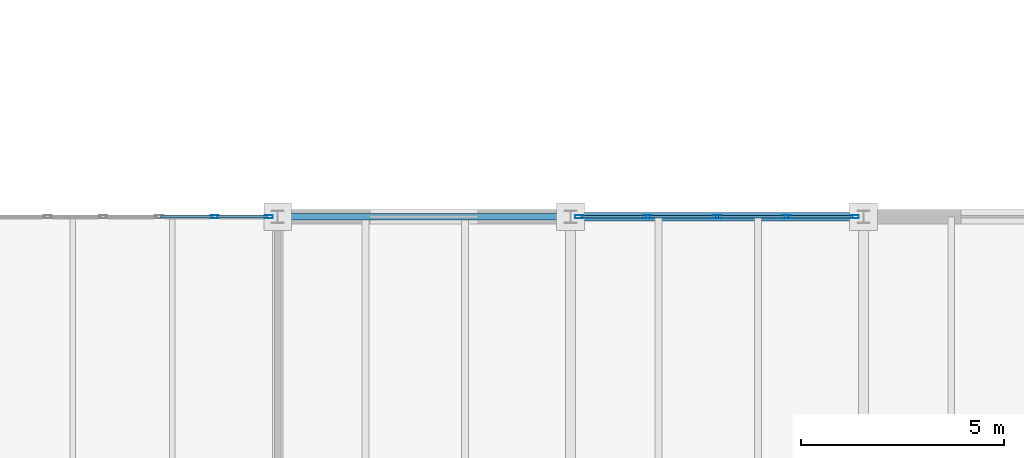
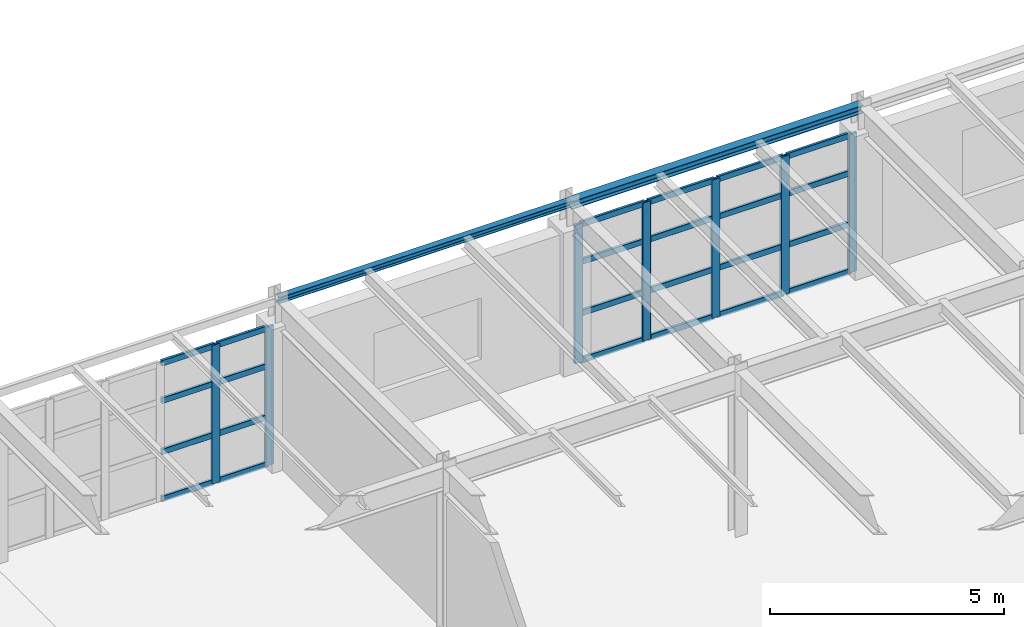
# One storey, part 101 of 137: 31 members, 2 beams, 2 elements without a shape of their own.
"""IFC4 building model written with IfcOpenShell, lengths in metres."""

from ifc_helpers import new_model, si_unit, direction, frame, origin, origin_2d, place, context, subcontext, project, spatial, hollow_rectangle, i_section, extrude, material, layer, layer_set, material_profile, profile_set, type_object, element, aggregate, save


model = new_model("IFC4")

# Units and contexts
model_context = context("Model", 3, precision=1e-05, world=origin(), true_north=direction((0.0, 1.0)))
body_context = subcontext(model_context, "Body", "Model", "MODEL_VIEW")
ifc_project = project(units=[si_unit("LENGTHUNIT", "METRE"), si_unit("AREAUNIT", "SQUARE_METRE"), si_unit("VOLUMEUNIT", "CUBIC_METRE"), si_unit("PLANEANGLEUNIT", "RADIAN"), si_unit("MASSUNIT", "GRAM", prefix="KILO")], contexts=[model_context])

# Site, building, storey
site_placement = place(None, origin())
site = spatial("IfcSite", under=ifc_project, at=site_placement, CompositionType="ELEMENT")
building_placement = place(site_placement, origin())
building = spatial("IfcBuilding", under=site, at=building_placement, Name="Kemerveld Promenade Tramway Depot", CompositionType="ELEMENT")
storey_placement = place(building_placement, frame((0.0, 0.0, 5.39990234375)))
storey = spatial("IfcBuildingStorey", under=building, at=storey_placement, Name="L01", CompositionType="ELEMENT", Elevation=5.39990234375)

# Beams
ifc_material_1 = material(Name="Steel S355", Category="steel")
ifc_material_profile_1 = material_profile(ifc_material_1, i_section(OverallWidth=0.154296875, OverallDepth=0.161865234375, WebThickness=0.008056640625, FlangeThickness=0.011474609375, FilletRadius=0.007568359375, at=origin_2d()), Name="152x152x37 UC")
ifc_profile_set_1 = profile_set([ifc_material_profile_1], Name="Steel S355")
beam_type_1 = type_object("IfcBeamType", Name="BM-LN2", PredefinedType="LINTEL", material=ifc_profile_set_1)
beam_1_placement = place(storey_placement, frame((194.39990234375, 50.39990234375, 4.2392578125), z_axis=(1.0, 0.0, 0.0), x_axis=(0.0, 1.0, 0.0)))
element("IfcBeam", 1, at=beam_1_placement, inside=storey, type_object=beam_type_1, Name="BMX-L01-28-29-H", PredefinedType="LINTEL", context=body_context, shape_type="SweptSolid", body=[
    extrude(i_section(OverallWidth=0.154296875, OverallDepth=0.161865234375, WebThickness=0.008056640625, FlangeThickness=0.011474609375, FilletRadius=0.007568359375, at=origin_2d()), origin(), (0.0, 0.0, 1.0), 7.2001953125),
])
ifc_material_profile_2 = material_profile(ifc_material_1, i_section(OverallWidth=0.205810546875, OverallDepth=0.209716796875, WebThickness=0.009521484375, FlangeThickness=0.01416015625, FilletRadius=0.01025390625, at=origin_2d()), Name="203x203x60 UC")
ifc_profile_set_2 = profile_set([ifc_material_profile_2], Name="Steel S355")
beam_type_2 = type_object("IfcBeamType", Name="BM-LN3", PredefinedType="LINTEL", material=ifc_profile_set_2)
beam_2_placement = place(storey_placement, frame((201.60009765625, 50.39990234375, 4.21533203125), z_axis=(1.0, 0.0, 0.0), x_axis=(0.0, 1.0, 0.0)))
element("IfcBeam", 2, at=beam_2_placement, inside=storey, type_object=beam_type_2, Name="BMX-L01-29-30-H", PredefinedType="LINTEL", context=body_context, shape_type="SweptSolid", body=[
    extrude(i_section(OverallWidth=0.205810546875, OverallDepth=0.209716796875, WebThickness=0.009521484375, FlangeThickness=0.01416015625, FilletRadius=0.01025390625, at=origin_2d()), origin(), (0.0, 0.0, 1.0), 7.199951171875),
])

# Curtain wall, members
ifc_material_2 = material(Name="Bronze anodised aluminium and solar glass", Category="aluminium")
ifc_layer_1 = layer(ifc_material_2, 0.199951171875)
ifc_layer_set_1 = layer_set([ifc_layer_1], Name="CW-SYS-08")
curtain_wall_type_1 = type_object("IfcCurtainWallType", Name="CW-SYS-08", PredefinedType="USERDEFINED", material=ifc_layer_set_1)
curtain_wall_1_placement = place(storey_placement, origin())
curtain_wall_1 = element("IfcCurtainWall", 3, at=curtain_wall_1_placement, inside=storey, type_object=curtain_wall_type_1, Name="CW-L01-V2N-05", ObjectType="GLAZED_CURTAIN_WALL", PredefinedType="USERDEFINED")
ifc_material_3 = material(Name="Bronze anodised aluminium", Category="aluminium")
ifc_material_profile_3 = material_profile(ifc_material_3, hollow_rectangle(XDim=0.074951171875, YDim=0.199951171875, WallThickness=0.0048828125, InnerFilletRadius=0.001953125, OuterFilletRadius=0.0048828125, at=origin_2d()), Name="CW-MUL-200x75")
ifc_profile_set_3 = profile_set([ifc_material_profile_3], Name="Bronze anodised aluminium")
member_type_1 = type_object("IfcMemberType", Name="CW-MUL-B", PredefinedType="MULLION", material=ifc_profile_set_3)
member_1_placement = place(storey_placement, frame((192.853759765625, 50.39990234375, 0.0), z_axis=(0.0, 0.0, 1.0), x_axis=(0.0, 1.0, 0.0)))
member_1 = element("IfcMember", 4, at=member_1_placement, type_object=member_type_1, Name="CW08 mullion 5", PredefinedType="MULLION", context=body_context, shape_type="SweptSolid", body=[
    extrude(hollow_rectangle(XDim=0.074951171875, YDim=0.199951171875, WallThickness=0.0048828125, InnerFilletRadius=0.001953125, OuterFilletRadius=0.0048828125, at=origin_2d()), origin(), (0.0, 0.0, 1.0), 3.61279296875),
])
member_2_placement = place(storey_placement, frame((194.185302734375, 50.39990234375, 0.0), z_axis=(0.0, 0.0, 1.0), x_axis=(0.0, 1.0, 0.0)))
member_2 = element("IfcMember", 5, at=member_2_placement, type_object=member_type_1, Name="CW08 mullion 6", PredefinedType="MULLION", context=body_context, shape_type="SweptSolid", body=[
    extrude(hollow_rectangle(XDim=0.074951171875, YDim=0.199951171875, WallThickness=0.0048828125, InnerFilletRadius=0.001953125, OuterFilletRadius=0.0048828125, at=origin_2d()), origin(), (0.0, 0.0, 1.0), 3.61279296875),
])

ifc_layer_2 = layer(ifc_material_2, 0.199951171875)
ifc_layer_set_2 = layer_set([ifc_layer_2], Name="CW-SYS-10")
curtain_wall_type_2 = type_object("IfcCurtainWallType", Name="CW-SYS-10", PredefinedType="USERDEFINED", material=ifc_layer_set_2)
curtain_wall_2_placement = place(storey_placement, origin())
curtain_wall_2 = element("IfcCurtainWall", 6, at=curtain_wall_2_placement, inside=storey, type_object=curtain_wall_type_2, Name="CW-L01-V2N-07", ObjectType="GLAZED_CURTAIN_WALL", PredefinedType="USERDEFINED")
member_3_placement = place(storey_placement, frame((201.814697265625, 50.39990234375, 0.0), z_axis=(0.0, 0.0, 1.0), x_axis=(0.0, 1.0, 0.0)))
member_3 = element("IfcMember", 7, at=member_3_placement, type_object=member_type_1, Name="CW10 mullion 1", PredefinedType="MULLION", context=body_context, shape_type="SweptSolid", body=[
    extrude(hollow_rectangle(XDim=0.074951171875, YDim=0.199951171875, WallThickness=0.0048828125, InnerFilletRadius=0.001953125, OuterFilletRadius=0.0048828125, at=origin_2d()), origin(), (0.0, 0.0, 1.0), 3.61279296875),
])
member_4_placement = place(storey_placement, frame((203.488525390625, 50.39990234375, 0.0), z_axis=(0.0, 0.0, 1.0), x_axis=(0.0, 1.0, 0.0)))
member_4 = element("IfcMember", 8, at=member_4_placement, type_object=member_type_1, Name="CW10 mullion 2", PredefinedType="MULLION", context=body_context, shape_type="SweptSolid", body=[
    extrude(hollow_rectangle(XDim=0.074951171875, YDim=0.199951171875, WallThickness=0.0048828125, InnerFilletRadius=0.001953125, OuterFilletRadius=0.0048828125, at=origin_2d()), origin(), (0.0, 0.0, 1.0), 3.61279296875),
])
member_5_placement = place(storey_placement, frame((205.199951171875, 50.39990234375, 0.0), z_axis=(0.0, 0.0, 1.0), x_axis=(0.0, 1.0, 0.0)))
member_5 = element("IfcMember", 9, at=member_5_placement, type_object=member_type_1, Name="CW10 mullion 3", PredefinedType="MULLION", context=body_context, shape_type="SweptSolid", body=[
    extrude(hollow_rectangle(XDim=0.074951171875, YDim=0.199951171875, WallThickness=0.0048828125, InnerFilletRadius=0.001953125, OuterFilletRadius=0.0048828125, at=origin_2d()), origin(), (0.0, 0.0, 1.0), 3.61279296875),
])
member_6_placement = place(storey_placement, frame((206.911376953125, 50.39990234375, 0.0), z_axis=(0.0, 0.0, 1.0), x_axis=(0.0, 1.0, 0.0)))
member_6 = element("IfcMember", 10, at=member_6_placement, type_object=member_type_1, Name="CW10 mullion 4", PredefinedType="MULLION", context=body_context, shape_type="SweptSolid", body=[
    extrude(hollow_rectangle(XDim=0.074951171875, YDim=0.199951171875, WallThickness=0.0048828125, InnerFilletRadius=0.001953125, OuterFilletRadius=0.0048828125, at=origin_2d()), origin(), (0.0, 0.0, 1.0), 3.61279296875),
])
member_7_placement = place(storey_placement, frame((208.585205078125, 50.39990234375, 0.0), z_axis=(0.0, 0.0, 1.0), x_axis=(0.0, 1.0, 0.0)))
member_7 = element("IfcMember", 11, at=member_7_placement, type_object=member_type_1, Name="CW10 mullion 5", PredefinedType="MULLION", context=body_context, shape_type="SweptSolid", body=[
    extrude(hollow_rectangle(XDim=0.074951171875, YDim=0.199951171875, WallThickness=0.0048828125, InnerFilletRadius=0.001953125, OuterFilletRadius=0.0048828125, at=origin_2d()), origin(), (0.0, 0.0, 1.0), 3.61279296875),
])

# Member
ifc_material_profile_4 = material_profile(ifc_material_3, hollow_rectangle(XDim=0.06494140625, YDim=0.14990234375, WallThickness=0.00439453125, InnerFilletRadius=0.001953125, OuterFilletRadius=0.00439453125, at=origin_2d()), Name="CW-TRN-150x65")
ifc_profile_set_4 = profile_set([ifc_material_profile_4], Name="Bronze anodised aluminium")
member_type_2 = type_object("IfcMemberType", Name="CW-TRN-B", PredefinedType="USERDEFINED", material=ifc_profile_set_4)
member_8_placement = place(storey_placement, frame((191.52197265625, 50.39990234375, 0.03271484375), z_axis=(1.0, 0.0, 0.0), x_axis=(0.0, 1.0, 0.0)))
member_8 = element("IfcMember", 12, at=member_8_placement, type_object=member_type_2, Name="CW08 transom 4.1", ObjectType="TRANSOM", PredefinedType="USERDEFINED", context=body_context, shape_type="SweptSolid", body=[
    extrude(hollow_rectangle(XDim=0.06494140625, YDim=0.14990234375, WallThickness=0.00439453125, InnerFilletRadius=0.001953125, OuterFilletRadius=0.00439453125, at=origin_2d()), origin(), (0.0, 0.0, 1.0), 1.294189453125),
])

member_9_placement = place(storey_placement, frame((191.52197265625, 50.39990234375, 1.26416015625), z_axis=(1.0, 0.0, 0.0), x_axis=(0.0, 1.0, 0.0)))
member_9 = element("IfcMember", 13, at=member_9_placement, type_object=member_type_2, Name="CW08 transom 4.2", ObjectType="TRANSOM", PredefinedType="USERDEFINED", context=body_context, shape_type="SweptSolid", body=[
    extrude(hollow_rectangle(XDim=0.06494140625, YDim=0.14990234375, WallThickness=0.00439453125, InnerFilletRadius=0.001953125, OuterFilletRadius=0.00439453125, at=origin_2d()), origin(), (0.0, 0.0, 1.0), 1.294189453125),
])

member_10_placement = place(storey_placement, frame((191.52197265625, 50.39990234375, 2.60107421875), z_axis=(1.0, 0.0, 0.0), x_axis=(0.0, 1.0, 0.0)))
member_10 = element("IfcMember", 14, at=member_10_placement, type_object=member_type_2, Name="CW08 transom 4.3", ObjectType="TRANSOM", PredefinedType="USERDEFINED", context=body_context, shape_type="SweptSolid", body=[
    extrude(hollow_rectangle(XDim=0.06494140625, YDim=0.14990234375, WallThickness=0.00439453125, InnerFilletRadius=0.001953125, OuterFilletRadius=0.00439453125, at=origin_2d()), origin(), (0.0, 0.0, 1.0), 1.294189453125),
])

member_11_placement = place(storey_placement, frame((191.52197265625, 50.39990234375, 3.580078125), z_axis=(1.0, 0.0, 0.0), x_axis=(0.0, 1.0, 0.0)))
member_11 = element("IfcMember", 15, at=member_11_placement, type_object=member_type_2, Name="CW08 transom 4.4", ObjectType="TRANSOM", PredefinedType="USERDEFINED", context=body_context, shape_type="SweptSolid", body=[
    extrude(hollow_rectangle(XDim=0.06494140625, YDim=0.14990234375, WallThickness=0.00439453125, InnerFilletRadius=0.001953125, OuterFilletRadius=0.00439453125, at=origin_2d()), origin(), (0.0, 0.0, 1.0), 1.294189453125),
])

member_12_placement = place(storey_placement, frame((192.89111328125, 50.39990234375, 0.03271484375), z_axis=(1.0, 0.0, 0.0), x_axis=(0.0, 1.0, 0.0)))
member_12 = element("IfcMember", 16, at=member_12_placement, type_object=member_type_2, Name="CW08 transom 5.1", ObjectType="TRANSOM", PredefinedType="USERDEFINED", context=body_context, shape_type="SweptSolid", body=[
    extrude(hollow_rectangle(XDim=0.06494140625, YDim=0.14990234375, WallThickness=0.00439453125, InnerFilletRadius=0.001953125, OuterFilletRadius=0.00439453125, at=origin_2d()), origin(), (0.0, 0.0, 1.0), 1.256591796875),
])

member_13_placement = place(storey_placement, frame((192.89111328125, 50.39990234375, 1.26416015625), z_axis=(1.0, 0.0, 0.0), x_axis=(0.0, 1.0, 0.0)))
member_13 = element("IfcMember", 17, at=member_13_placement, type_object=member_type_2, Name="CW08 transom 5.2", ObjectType="TRANSOM", PredefinedType="USERDEFINED", context=body_context, shape_type="SweptSolid", body=[
    extrude(hollow_rectangle(XDim=0.06494140625, YDim=0.14990234375, WallThickness=0.00439453125, InnerFilletRadius=0.001953125, OuterFilletRadius=0.00439453125, at=origin_2d()), origin(), (0.0, 0.0, 1.0), 1.256591796875),
])

member_14_placement = place(storey_placement, frame((192.89111328125, 50.39990234375, 2.60107421875), z_axis=(1.0, 0.0, 0.0), x_axis=(0.0, 1.0, 0.0)))
member_14 = element("IfcMember", 18, at=member_14_placement, type_object=member_type_2, Name="CW08 transom 5.3", ObjectType="TRANSOM", PredefinedType="USERDEFINED", context=body_context, shape_type="SweptSolid", body=[
    extrude(hollow_rectangle(XDim=0.06494140625, YDim=0.14990234375, WallThickness=0.00439453125, InnerFilletRadius=0.001953125, OuterFilletRadius=0.00439453125, at=origin_2d()), origin(), (0.0, 0.0, 1.0), 1.256591796875),
])

member_15_placement = place(storey_placement, frame((192.89111328125, 50.39990234375, 3.580078125), z_axis=(1.0, 0.0, 0.0), x_axis=(0.0, 1.0, 0.0)))
member_15 = element("IfcMember", 19, at=member_15_placement, type_object=member_type_2, Name="CW08 transom 5.4", ObjectType="TRANSOM", PredefinedType="USERDEFINED", context=body_context, shape_type="SweptSolid", body=[
    extrude(hollow_rectangle(XDim=0.06494140625, YDim=0.14990234375, WallThickness=0.00439453125, InnerFilletRadius=0.001953125, OuterFilletRadius=0.00439453125, at=origin_2d()), origin(), (0.0, 0.0, 1.0), 1.256591796875),
])

aggregate(curtain_wall_1, [member_1, member_2, member_8, member_9, member_10, member_11, member_12, member_13, member_14, member_15])

member_16_placement = place(storey_placement, frame((201.852294921875, 50.39990234375, 0.03271484375), z_axis=(1.0, 0.0, 0.0), x_axis=(0.0, 1.0, 0.0)))
member_16 = element("IfcMember", 20, at=member_16_placement, type_object=member_type_2, Name="CW10 transom 1.1", ObjectType="TRANSOM", PredefinedType="USERDEFINED", context=body_context, shape_type="SweptSolid", body=[
    extrude(hollow_rectangle(XDim=0.06494140625, YDim=0.14990234375, WallThickness=0.00439453125, InnerFilletRadius=0.001953125, OuterFilletRadius=0.00439453125, at=origin_2d()), origin(), (0.0, 0.0, 1.0), 1.598876953125),
])

member_17_placement = place(storey_placement, frame((201.852294921875, 50.39990234375, 1.26416015625), z_axis=(1.0, 0.0, 0.0), x_axis=(0.0, 1.0, 0.0)))
member_17 = element("IfcMember", 21, at=member_17_placement, type_object=member_type_2, Name="CW10 transom 1.2", ObjectType="TRANSOM", PredefinedType="USERDEFINED", context=body_context, shape_type="SweptSolid", body=[
    extrude(hollow_rectangle(XDim=0.06494140625, YDim=0.14990234375, WallThickness=0.00439453125, InnerFilletRadius=0.001953125, OuterFilletRadius=0.00439453125, at=origin_2d()), origin(), (0.0, 0.0, 1.0), 1.598876953125),
])

member_18_placement = place(storey_placement, frame((201.852294921875, 50.39990234375, 2.60107421875), z_axis=(1.0, 0.0, 0.0), x_axis=(0.0, 1.0, 0.0)))
member_18 = element("IfcMember", 22, at=member_18_placement, type_object=member_type_2, Name="CW10 transom 1.3", ObjectType="TRANSOM", PredefinedType="USERDEFINED", context=body_context, shape_type="SweptSolid", body=[
    extrude(hollow_rectangle(XDim=0.06494140625, YDim=0.14990234375, WallThickness=0.00439453125, InnerFilletRadius=0.001953125, OuterFilletRadius=0.00439453125, at=origin_2d()), origin(), (0.0, 0.0, 1.0), 1.598876953125),
])

member_19_placement = place(storey_placement, frame((201.852294921875, 50.39990234375, 3.580078125), z_axis=(1.0, 0.0, 0.0), x_axis=(0.0, 1.0, 0.0)))
member_19 = element("IfcMember", 23, at=member_19_placement, type_object=member_type_2, Name="CW10 transom 1.4", ObjectType="TRANSOM", PredefinedType="USERDEFINED", context=body_context, shape_type="SweptSolid", body=[
    extrude(hollow_rectangle(XDim=0.06494140625, YDim=0.14990234375, WallThickness=0.00439453125, InnerFilletRadius=0.001953125, OuterFilletRadius=0.00439453125, at=origin_2d()), origin(), (0.0, 0.0, 1.0), 1.598876953125),
])

member_20_placement = place(storey_placement, frame((203.526123046875, 50.39990234375, 0.03271484375), z_axis=(1.0, 0.0, 0.0), x_axis=(0.0, 1.0, 0.0)))
member_20 = element("IfcMember", 24, at=member_20_placement, type_object=member_type_2, Name="CW10 transom 2.1", ObjectType="TRANSOM", PredefinedType="USERDEFINED", context=body_context, shape_type="SweptSolid", body=[
    extrude(hollow_rectangle(XDim=0.06494140625, YDim=0.14990234375, WallThickness=0.00439453125, InnerFilletRadius=0.001953125, OuterFilletRadius=0.00439453125, at=origin_2d()), origin(), (0.0, 0.0, 1.0), 1.636474609375),
])

member_21_placement = place(storey_placement, frame((203.526123046875, 50.39990234375, 1.26416015625), z_axis=(1.0, 0.0, 0.0), x_axis=(0.0, 1.0, 0.0)))
member_21 = element("IfcMember", 25, at=member_21_placement, type_object=member_type_2, Name="CW10 transom 2.2", ObjectType="TRANSOM", PredefinedType="USERDEFINED", context=body_context, shape_type="SweptSolid", body=[
    extrude(hollow_rectangle(XDim=0.06494140625, YDim=0.14990234375, WallThickness=0.00439453125, InnerFilletRadius=0.001953125, OuterFilletRadius=0.00439453125, at=origin_2d()), origin(), (0.0, 0.0, 1.0), 1.636474609375),
])

member_22_placement = place(storey_placement, frame((203.526123046875, 50.39990234375, 2.60107421875), z_axis=(1.0, 0.0, 0.0), x_axis=(0.0, 1.0, 0.0)))
member_22 = element("IfcMember", 26, at=member_22_placement, type_object=member_type_2, Name="CW10 transom 2.3", ObjectType="TRANSOM", PredefinedType="USERDEFINED", context=body_context, shape_type="SweptSolid", body=[
    extrude(hollow_rectangle(XDim=0.06494140625, YDim=0.14990234375, WallThickness=0.00439453125, InnerFilletRadius=0.001953125, OuterFilletRadius=0.00439453125, at=origin_2d()), origin(), (0.0, 0.0, 1.0), 1.636474609375),
])

member_23_placement = place(storey_placement, frame((203.526123046875, 50.39990234375, 3.580078125), z_axis=(1.0, 0.0, 0.0), x_axis=(0.0, 1.0, 0.0)))
member_23 = element("IfcMember", 27, at=member_23_placement, type_object=member_type_2, Name="CW10 transom 2.4", ObjectType="TRANSOM", PredefinedType="USERDEFINED", context=body_context, shape_type="SweptSolid", body=[
    extrude(hollow_rectangle(XDim=0.06494140625, YDim=0.14990234375, WallThickness=0.00439453125, InnerFilletRadius=0.001953125, OuterFilletRadius=0.00439453125, at=origin_2d()), origin(), (0.0, 0.0, 1.0), 1.636474609375),
])

member_24_placement = place(storey_placement, frame((205.237548828125, 50.39990234375, 0.03271484375), z_axis=(1.0, 0.0, 0.0), x_axis=(0.0, 1.0, 0.0)))
member_24 = element("IfcMember", 28, at=member_24_placement, type_object=member_type_2, Name="CW10 transom 3.1", ObjectType="TRANSOM", PredefinedType="USERDEFINED", context=body_context, shape_type="SweptSolid", body=[
    extrude(hollow_rectangle(XDim=0.06494140625, YDim=0.14990234375, WallThickness=0.00439453125, InnerFilletRadius=0.001953125, OuterFilletRadius=0.00439453125, at=origin_2d()), origin(), (0.0, 0.0, 1.0), 1.63623046875),
])

member_25_placement = place(storey_placement, frame((205.237548828125, 50.39990234375, 1.26416015625), z_axis=(1.0, 0.0, 0.0), x_axis=(0.0, 1.0, 0.0)))
member_25 = element("IfcMember", 29, at=member_25_placement, type_object=member_type_2, Name="CW10 transom 3.2", ObjectType="TRANSOM", PredefinedType="USERDEFINED", context=body_context, shape_type="SweptSolid", body=[
    extrude(hollow_rectangle(XDim=0.06494140625, YDim=0.14990234375, WallThickness=0.00439453125, InnerFilletRadius=0.001953125, OuterFilletRadius=0.00439453125, at=origin_2d()), origin(), (0.0, 0.0, 1.0), 1.63623046875),
])

member_26_placement = place(storey_placement, frame((205.237548828125, 50.39990234375, 2.60107421875), z_axis=(1.0, 0.0, 0.0), x_axis=(0.0, 1.0, 0.0)))
member_26 = element("IfcMember", 30, at=member_26_placement, type_object=member_type_2, Name="CW10 transom 3.3", ObjectType="TRANSOM", PredefinedType="USERDEFINED", context=body_context, shape_type="SweptSolid", body=[
    extrude(hollow_rectangle(XDim=0.06494140625, YDim=0.14990234375, WallThickness=0.00439453125, InnerFilletRadius=0.001953125, OuterFilletRadius=0.00439453125, at=origin_2d()), origin(), (0.0, 0.0, 1.0), 1.63623046875),
])

member_27_placement = place(storey_placement, frame((205.237548828125, 50.39990234375, 3.580078125), z_axis=(1.0, 0.0, 0.0), x_axis=(0.0, 1.0, 0.0)))
member_27 = element("IfcMember", 31, at=member_27_placement, type_object=member_type_2, Name="CW10 transom 3.4", ObjectType="TRANSOM", PredefinedType="USERDEFINED", context=body_context, shape_type="SweptSolid", body=[
    extrude(hollow_rectangle(XDim=0.06494140625, YDim=0.14990234375, WallThickness=0.00439453125, InnerFilletRadius=0.001953125, OuterFilletRadius=0.00439453125, at=origin_2d()), origin(), (0.0, 0.0, 1.0), 1.63623046875),
])

member_28_placement = place(storey_placement, frame((206.948974609375, 50.39990234375, 0.03271484375), z_axis=(1.0, 0.0, 0.0), x_axis=(0.0, 1.0, 0.0)))
member_28 = element("IfcMember", 32, at=member_28_placement, type_object=member_type_2, Name="CW10 transom 4.1", ObjectType="TRANSOM", PredefinedType="USERDEFINED", context=body_context, shape_type="SweptSolid", body=[
    extrude(hollow_rectangle(XDim=0.06494140625, YDim=0.14990234375, WallThickness=0.00439453125, InnerFilletRadius=0.001953125, OuterFilletRadius=0.00439453125, at=origin_2d()), origin(), (0.0, 0.0, 1.0), 1.598876953125),
])

member_29_placement = place(storey_placement, frame((206.948974609375, 50.39990234375, 1.26416015625), z_axis=(1.0, 0.0, 0.0), x_axis=(0.0, 1.0, 0.0)))
member_29 = element("IfcMember", 33, at=member_29_placement, type_object=member_type_2, Name="CW10 transom 4.2", ObjectType="TRANSOM", PredefinedType="USERDEFINED", context=body_context, shape_type="SweptSolid", body=[
    extrude(hollow_rectangle(XDim=0.06494140625, YDim=0.14990234375, WallThickness=0.00439453125, InnerFilletRadius=0.001953125, OuterFilletRadius=0.00439453125, at=origin_2d()), origin(), (0.0, 0.0, 1.0), 1.598876953125),
])

member_30_placement = place(storey_placement, frame((206.948974609375, 50.39990234375, 2.60107421875), z_axis=(1.0, 0.0, 0.0), x_axis=(0.0, 1.0, 0.0)))
member_30 = element("IfcMember", 34, at=member_30_placement, type_object=member_type_2, Name="CW10 transom 4.3", ObjectType="TRANSOM", PredefinedType="USERDEFINED", context=body_context, shape_type="SweptSolid", body=[
    extrude(hollow_rectangle(XDim=0.06494140625, YDim=0.14990234375, WallThickness=0.00439453125, InnerFilletRadius=0.001953125, OuterFilletRadius=0.00439453125, at=origin_2d()), origin(), (0.0, 0.0, 1.0), 1.598876953125),
])

member_31_placement = place(storey_placement, frame((206.948974609375, 50.39990234375, 3.580078125), z_axis=(1.0, 0.0, 0.0), x_axis=(0.0, 1.0, 0.0)))
member_31 = element("IfcMember", 35, at=member_31_placement, type_object=member_type_2, Name="CW10 transom 4.4", ObjectType="TRANSOM", PredefinedType="USERDEFINED", context=body_context, shape_type="SweptSolid", body=[
    extrude(hollow_rectangle(XDim=0.06494140625, YDim=0.14990234375, WallThickness=0.00439453125, InnerFilletRadius=0.001953125, OuterFilletRadius=0.00439453125, at=origin_2d()), origin(), (0.0, 0.0, 1.0), 1.598876953125),
])

aggregate(curtain_wall_2, [member_3, member_4, member_5, member_6, member_7, member_16, member_17, member_18, member_19, member_20, member_21, member_22, member_23, member_24, member_25, member_26, member_27, member_28, member_29, member_30, member_31])

save(model, "model.ifc")
